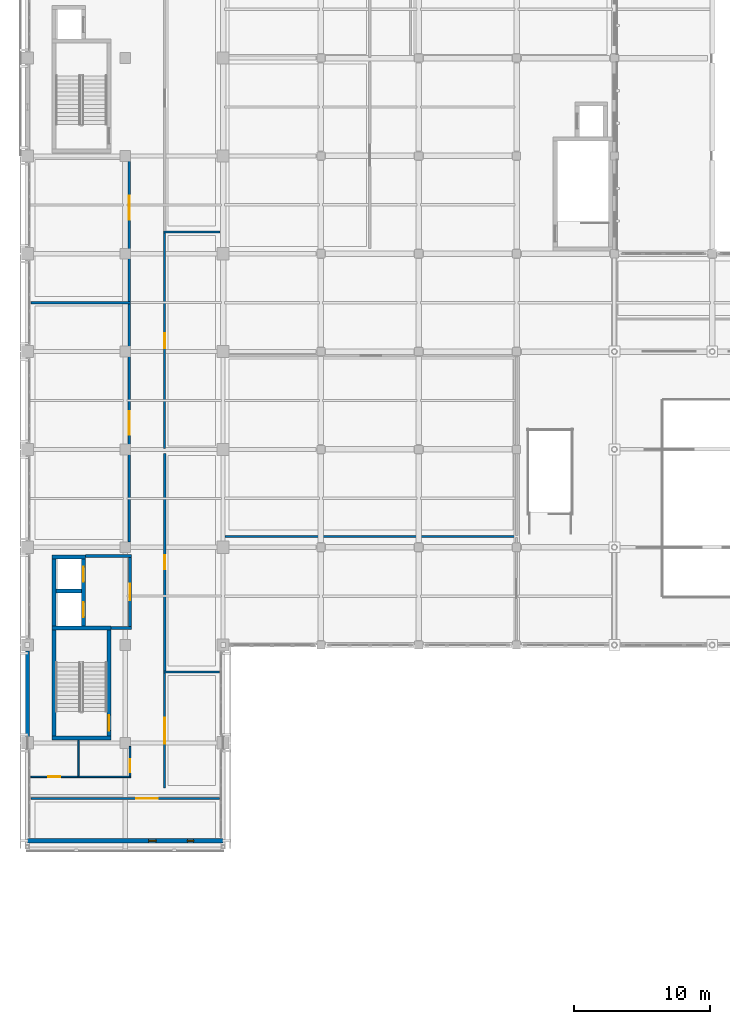
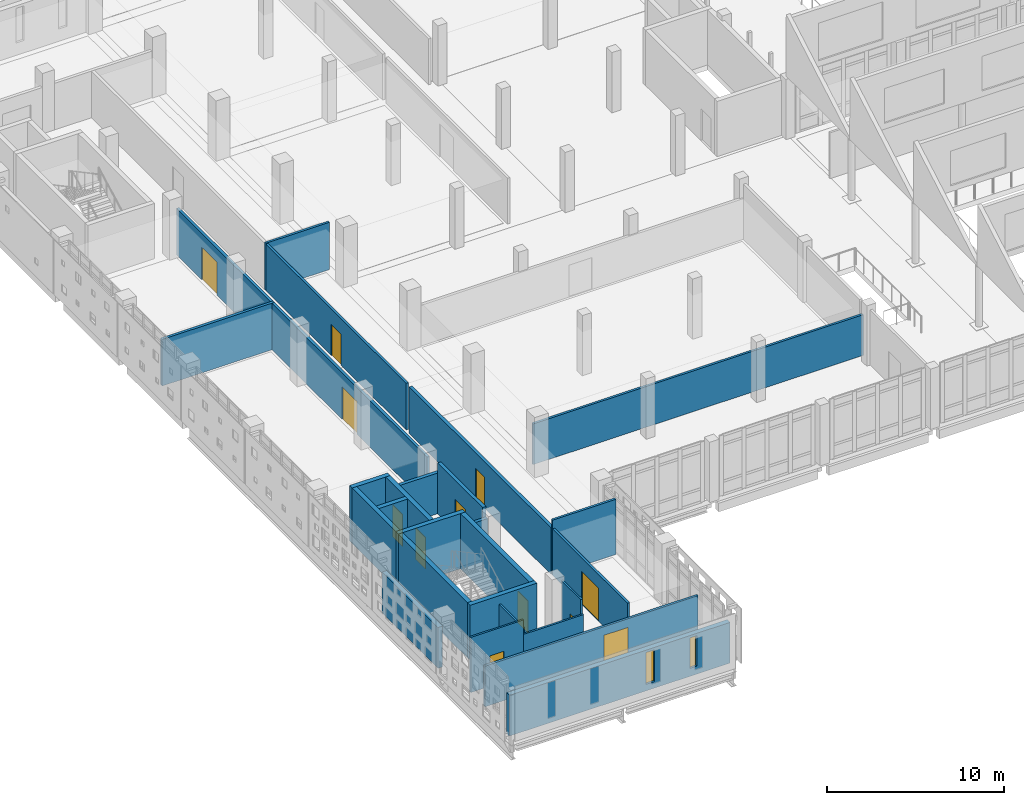
# One storey, part 40 of 62: 27 walls, 12 doors, 2 windows, 14 openings.
"""IFC4 building model written with IfcOpenShell, lengths in metres."""

from ifc_helpers import new_model, si_unit, direction, frame, frame_2d, origin, place, context, subcontext, project, spatial, rectangle, extrude, material, layer, layer_set, type_object, element, fill, save


model = new_model("IFC4")

# Units and contexts
model_context = context("Model", 3, precision=1e-05, world=origin(), true_north=direction((0.0, 1.0)))
body_context = subcontext(model_context, "Body", "Model", "MODEL_VIEW")
ifc_project = project(units=[si_unit("LENGTHUNIT", "METRE"), si_unit("AREAUNIT", "SQUARE_METRE"), si_unit("VOLUMEUNIT", "CUBIC_METRE"), si_unit("PLANEANGLEUNIT", "RADIAN"), si_unit("MASSUNIT", "GRAM", prefix="KILO")], contexts=[model_context])

# Site, building, storey
site_placement = place(None, origin())
site = spatial("IfcSite", under=ifc_project, at=site_placement, CompositionType="ELEMENT")
building_placement = place(site_placement, origin())
building = spatial("IfcBuilding", under=site, at=building_placement, Name="Valkovuoma Quantum and Materials Research Institute", CompositionType="ELEMENT")
storey_placement = place(building_placement, frame((0.0, 0.0, 13.1201171875)))
storey = spatial("IfcBuildingStorey", under=building, at=storey_placement, Name="L03", CompositionType="ELEMENT", Elevation=13.1201171875)

# Walls
ifc_material_1 = material(Name="Concrete C40/50", Category="concrete")
ifc_layer_1 = layer(ifc_material_1, 0.300048828125)
ifc_layer_set_1 = layer_set([ifc_layer_1], Name="Concrete C40/50")
wall_type_1 = type_object("IfcWallType", Name="Wall-W-COR300", PredefinedType="SHEAR", material=ifc_layer_set_1)
for number, where, z_axis, x_axis, name in (
    (1, (1.800048828125, 29.14990234375, 0.0), (0.0, 0.0, 1.0), (1.0, 0.0, 0.0), "L03 core wall 0045"),
    (2, (1.800048828125, 37.25, 0.0), (0.0, 0.0, 1.0), (1.0, 0.0, 0.0), "L03 core wall 0046"),
):
    element("IfcWall", number, at=place(storey_placement, frame(where, z_axis=z_axis, x_axis=x_axis)), inside=storey, type_object=wall_type_1, Name=name, PredefinedType="SHEAR", context=body_context, shape_type="SweptSolid", body=[
        extrude(rectangle(XDim=4.349853515625, YDim=0.300048828125, at=frame_2d((2.1748046875, 0.0))), origin(), (0.0, 0.0, 1.0), 3.809814453125),
    ])
wall_1_placement = place(storey_placement, frame((1.949951171875, 29.300048828125, 0.0), z_axis=(0.0, 0.0, 1.0), x_axis=(0.0, 1.0, 0.0)))
element("IfcWall", 3, at=wall_1_placement, inside=storey, type_object=wall_type_1, Name="L03 core wall 0047", PredefinedType="SHEAR", context=body_context, shape_type="SweptSolid", body=[
    extrude(rectangle(XDim=7.800048828125, YDim=0.300048828125, at=frame_2d((3.89990234375, 0.0))), origin(), (0.0, 0.0, 1.0), 3.809814453125),
])

# Wall, opening, door
wall_2_placement = place(storey_placement, frame((6.0, 29.300048828125, 0.0), z_axis=(0.0, 0.0, 1.0), x_axis=(0.0, 1.0, 0.0)))
wall_2 = element("IfcWall", 4, at=wall_2_placement, inside=storey, type_object=wall_type_1, Name="L03 core wall 0048", PredefinedType="SHEAR", context=body_context, shape_type="SweptSolid", body=[
    extrude(rectangle(XDim=7.800048828125, YDim=0.300048828125, at=frame_2d((3.89990234375, 0.0))), origin(), (0.0, 0.0, 1.0), 3.809814453125),
])
opening_1_placement = place(wall_2_placement, frame((0.39990234375, 0.0, 0.0)))
opening_1 = element("IfcOpeningElement", 5, at=opening_1_placement, cuts=wall_2, Name="Opening SD-009", PredefinedType="OPENING", context=body_context, shape_type="SweptSolid", body=[
    extrude(rectangle(XDim=1.14990234375, YDim=2.199951171875, at=frame_2d((0.574951171875, 1.10009765625))), frame((0.0, 0.16015625, 0.0), z_axis=(0.0, -1.0, 0.0), x_axis=(1.0, 0.0, 0.0)), (0.0, 0.0, 1.0), 0.320068359375),
])
ifc_material_2 = material(Name="Powder-coated steel and acoustic timber door assembly", Category="steel")
door_type_1 = type_object("IfcDoorType", Name="Door-DR-ST60", OperationType="NOTDEFINED", PredefinedType="DOOR", material=ifc_material_2)
door_1_placement = place(opening_1_placement, origin())
door_1 = element("IfcDoor", 6, at=door_1_placement, inside=storey, type_object=door_type_1, Name="L03 ST-1 fire door", OperationType="SINGLE_SWING_RIGHT", OverallHeight=2.199951171875, OverallWidth=1.14990234375, PredefinedType="DOOR", context=body_context, shape_type="SweptSolid", body=[
    extrude(rectangle(XDim=1.14990234375, YDim=2.199951171875, at=frame_2d((0.574951171875, 1.10009765625))), frame((0.0, 0.02490234375, 0.0), z_axis=(0.0, -1.0, 0.0), x_axis=(1.0, 0.0, 0.0)), (0.0, 0.0, 1.0), 0.050048828125),
])
fill(opening_1, door_1)

# Walls
wall_3_placement = place(storey_placement, frame((1.800048828125, 42.47998046875, 0.0), z_axis=(0.0, 0.0, 1.0), x_axis=(1.0, 0.0, 0.0)))
element("IfcWall", 7, at=wall_3_placement, inside=storey, type_object=wall_type_1, Name="L03 core wall 0049", PredefinedType="SHEAR", context=body_context, shape_type="SweptSolid", body=[
    extrude(rectangle(XDim=2.47998046875, YDim=0.300048828125, at=frame_2d((1.239990234375, 0.0))), origin(), (0.0, 0.0, 1.0), 3.809814453125),
])
wall_4_placement = place(storey_placement, frame((2.10009765625, 39.97509765625, 0.0), z_axis=(0.0, 0.0, 1.0), x_axis=(1.0, 0.0, 0.0)))
element("IfcWall", 8, at=wall_4_placement, inside=storey, type_object=wall_type_1, Name="L03 core wall 0050", PredefinedType="SHEAR", context=body_context, shape_type="SweptSolid", body=[
    extrude(rectangle(XDim=1.8798828125, YDim=0.300048828125, at=frame_2d((0.93994140625, 0.0))), origin(), (0.0, 0.0, 1.0), 3.809814453125),
])
wall_5_placement = place(storey_placement, frame((1.949951171875, 37.39990234375, 0.0), z_axis=(0.0, 0.0, 1.0), x_axis=(0.0, 1.0, 0.0)))
element("IfcWall", 9, at=wall_5_placement, inside=storey, type_object=wall_type_1, Name="L03 core wall 0051", PredefinedType="SHEAR", context=body_context, shape_type="SweptSolid", body=[
    extrude(rectangle(XDim=4.93017578125, YDim=0.300048828125, at=frame_2d((2.465087890625, 0.0))), origin(), (0.0, 0.0, 1.0), 3.809814453125),
])

# Wall, openings, doors
wall_6_placement = place(storey_placement, frame((4.1298828125, 37.39990234375, 0.0), z_axis=(0.0, 0.0, 1.0), x_axis=(0.0, 1.0, 0.0)))
wall_6 = element("IfcWall", 10, at=wall_6_placement, inside=storey, type_object=wall_type_1, Name="L03 core wall 0052", PredefinedType="SHEAR", context=body_context, shape_type="SweptSolid", body=[
    extrude(rectangle(XDim=4.93017578125, YDim=0.300048828125, at=frame_2d((2.465087890625, 0.0))), origin(), (0.0, 0.0, 1.0), 3.809814453125),
])
opening_2_placement = place(wall_6_placement, frame((0.64990234375, 0.0, 0.0)))
opening_2 = element("IfcOpeningElement", 11, at=opening_2_placement, cuts=wall_6, Name="Opening LD-009", PredefinedType="OPENING", context=body_context, shape_type="SweptSolid", body=[
    extrude(rectangle(XDim=1.10009765625, YDim=2.199951171875, at=frame_2d((0.550048828125, 1.10009765625))), frame((0.0, 0.16015625, 0.0), z_axis=(0.0, -1.0, 0.0), x_axis=(1.0, 0.0, 0.0)), (0.0, 0.0, 1.0), 0.320068359375),
])
opening_3_placement = place(wall_6_placement, frame((3.25, 0.0, 0.0)))
opening_3 = element("IfcOpeningElement", 12, at=opening_3_placement, cuts=wall_6, Name="Opening LD-010", PredefinedType="OPENING", context=body_context, shape_type="SweptSolid", body=[
    extrude(rectangle(XDim=1.10009765625, YDim=2.199951171875, at=frame_2d((0.550048828125, 1.10009765625))), frame((0.0, 0.16015625, 0.0), z_axis=(0.0, -1.0, 0.0), x_axis=(1.0, 0.0, 0.0)), (0.0, 0.0, 1.0), 0.320068359375),
])
ifc_material_3 = material(Name="Powder-coated steel and acoustic timber door assembly", Category="steel")
door_type_2 = type_object("IfcDoorType", Name="Door-DR-LD01", OperationType="NOTDEFINED", PredefinedType="DOOR", material=ifc_material_3)
door_2_placement = place(opening_2_placement, origin())
door_2 = element("IfcDoor", 13, at=door_2_placement, inside=storey, type_object=door_type_2, Name="L03 LIFT-FF1 sliding landing door", OperationType="SLIDING_TO_LEFT", OverallHeight=2.199951171875, OverallWidth=1.10009765625, PredefinedType="DOOR", context=body_context, shape_type="SweptSolid", body=[
    extrude(rectangle(XDim=1.10009765625, YDim=2.199951171875, at=frame_2d((0.550048828125, 1.10009765625))), frame((0.0, 0.02490234375, 0.0), z_axis=(0.0, -1.0, 0.0), x_axis=(1.0, 0.0, 0.0)), (0.0, 0.0, 1.0), 0.050048828125),
])
fill(opening_2, door_2)
door_3_placement = place(opening_3_placement, origin())
door_3 = element("IfcDoor", 14, at=door_3_placement, inside=storey, type_object=door_type_2, Name="L03 LIFT-P1 sliding landing door", OperationType="SLIDING_TO_LEFT", OverallHeight=2.199951171875, OverallWidth=1.10009765625, PredefinedType="DOOR", context=body_context, shape_type="SweptSolid", body=[
    extrude(rectangle(XDim=1.10009765625, YDim=2.199951171875, at=frame_2d((0.550048828125, 1.10009765625))), frame((0.0, 0.02490234375, 0.0), z_axis=(0.0, -1.0, 0.0), x_axis=(1.0, 0.0, 0.0)), (0.0, 0.0, 1.0), 0.050048828125),
])
fill(opening_3, door_3)

# Wall
ifc_material_4 = material(Name="Precast concrete C40/50", Category="concrete")
ifc_layer_2 = layer(ifc_material_4, 0.300048828125)
ifc_layer_set_2 = layer_set([ifc_layer_2], Name="Precast concrete C40/50")
wall_type_2 = type_object("IfcWallType", Name="Wall-W-EXT300", PredefinedType="SOLIDWALL", material=ifc_layer_set_2)
wall_7_placement = place(storey_placement, frame((0.0, 29.239990234375, 0.0), z_axis=(0.0, 0.0, 1.0), x_axis=(0.0, 1.0, 0.0)))
element("IfcWall", 15, at=wall_7_placement, inside=storey, type_object=wall_type_2, Name="L03 exterior wall 0042", PredefinedType="SOLIDWALL", context=body_context, shape_type="SweptSolid", body=[
    extrude(rectangle(XDim=6.320068359375, YDim=0.300048828125, at=frame_2d((3.16015625, 0.0))), origin(), (0.0, 0.0, 1.0), 2.809814453125),
])

# Wall, openings, windows
ifc_material_5 = material(Name="Precast concrete C40/50", Category="concrete")
ifc_layer_3 = layer(ifc_material_5, 0.320068359375)
ifc_layer_set_3 = layer_set([ifc_layer_3], Name="Precast concrete C40/50")
wall_type_3 = type_object("IfcWallType", Name="Wall-W-EXT320", PredefinedType="SOLIDWALL", material=ifc_layer_set_3)
wall_8_placement = place(storey_placement, frame((0.0, 21.60009765625, 0.0), z_axis=(0.0, 0.0, 1.0), x_axis=(1.0, 0.0, 0.0)))
wall_8 = element("IfcWall", 16, at=wall_8_placement, inside=storey, type_object=wall_type_3, Name="L03 exterior wall 0040", PredefinedType="SOLIDWALL", context=body_context, shape_type="SweptSolid", body=[
    extrude(rectangle(XDim=14.39990234375, YDim=0.320068359375, at=frame_2d((7.199951171875, 0.0))), origin(), (0.0, 0.0, 1.0), 2.809814453125),
])
opening_4_placement = place(wall_8_placement, frame((8.925048828125, 0.0, 0.449951171875)))
opening_4 = element("IfcOpeningElement", 17, at=opening_4_placement, cuts=wall_8, Name="Opening WN-SL03", PredefinedType="OPENING", context=body_context, shape_type="SweptSolid", body=[
    extrude(rectangle(XDim=0.550048828125, YDim=2.199951171875, at=frame_2d((0.27490234375, 1.10009765625))), frame((0.0, 0.169921875, 0.0), z_axis=(0.0, -1.0, 0.0), x_axis=(1.0, 0.0, 0.0)), (0.0, 0.0, 1.0), 0.340087890625),
])
opening_5_placement = place(wall_8_placement, frame((11.77490234375, 0.0, 0.550048828125)))
opening_5 = element("IfcOpeningElement", 18, at=opening_5_placement, cuts=wall_8, Name="Opening WN-SL04", PredefinedType="OPENING", context=body_context, shape_type="SweptSolid", body=[
    extrude(rectangle(XDim=0.449951171875, YDim=2.10009765625, at=frame_2d((0.22509765625, 1.050048828125))), frame((0.0, 0.169921875, 0.0), z_axis=(0.0, -1.0, 0.0), x_axis=(1.0, 0.0, 0.0)), (0.0, 0.0, 1.0), 0.340087890625),
])
ifc_material_6 = material(Name="Triple low-E argon glazing in thermally broken aluminium frame", Category="aluminium")
window_type_1 = type_object("IfcWindowType", Name="Win-WN-SL03", PartitioningType="SINGLE_PANEL", PredefinedType="WINDOW", material=ifc_material_6)
window_1_placement = place(opening_4_placement, origin())
window_1 = element("IfcWindow", 19, at=window_1_placement, inside=storey, type_object=window_type_1, Name="L03 window 0017", OverallHeight=2.199951171875, OverallWidth=0.550048828125, PartitioningType="SINGLE_PANEL", PredefinedType="WINDOW", context=body_context, shape_type="SweptSolid", body=[
    extrude(rectangle(XDim=0.550048828125, YDim=2.199951171875, at=frame_2d((0.27490234375, 1.10009765625))), frame((0.0, 0.030029296875, 0.0), z_axis=(0.0, -1.0, 0.0), x_axis=(1.0, 0.0, 0.0)), (0.0, 0.0, 1.0), 0.06005859375),
])
fill(opening_4, window_1)
ifc_material_7 = material(Name="Triple low-E argon glazing in thermally broken aluminium frame", Category="aluminium")
window_type_2 = type_object("IfcWindowType", Name="Win-WN-SL04", PartitioningType="SINGLE_PANEL", PredefinedType="WINDOW", material=ifc_material_7)
window_2_placement = place(opening_5_placement, origin())
window_2 = element("IfcWindow", 20, at=window_2_placement, inside=storey, type_object=window_type_2, Name="L03 window 0018", OverallHeight=2.10009765625, OverallWidth=0.449951171875, PartitioningType="SINGLE_PANEL", PredefinedType="WINDOW", context=body_context, shape_type="SweptSolid", body=[
    extrude(rectangle(XDim=0.449951171875, YDim=2.10009765625, at=frame_2d((0.22509765625, 1.050048828125))), frame((0.0, 0.030029296875, 0.0), z_axis=(0.0, -1.0, 0.0), x_axis=(1.0, 0.0, 0.0)), (0.0, 0.0, 1.0), 0.06005859375),
])
fill(opening_5, window_2)

# Walls
ifc_material_8 = material(Name="Concrete C40/50", Category="concrete")
ifc_layer_4 = layer(ifc_material_8, 0.219970703125)
ifc_layer_set_4 = layer_set([ifc_layer_4], Name="Concrete C40/50")
wall_type_4 = type_object("IfcWallType", Name="Wall-W-FFL220", PredefinedType="SOLIDWALL", material=ifc_layer_set_4)
wall_9_placement = place(storey_placement, frame((6.14990234375, 37.25, 0.0), z_axis=(0.0, 0.0, 1.0), x_axis=(1.0, 0.0, 0.0)))
element("IfcWall", 21, at=wall_9_placement, inside=storey, type_object=wall_type_4, Name="L03 core wall 0053", PredefinedType="SOLIDWALL", context=body_context, shape_type="SweptSolid", body=[
    extrude(rectangle(XDim=1.510009765625, YDim=0.219970703125, at=frame_2d((0.7548828125, 0.0))), origin(), (0.0, 0.0, 1.0), 2.809814453125),
])
wall_10_placement = place(storey_placement, frame((4.280029296875, 42.550048828125, 0.0), z_axis=(0.0, 0.0, 1.0), x_axis=(1.0, 0.0, 0.0)))
element("IfcWall", 22, at=wall_10_placement, inside=storey, type_object=wall_type_4, Name="L03 core wall 0054", PredefinedType="SOLIDWALL", context=body_context, shape_type="SweptSolid", body=[
    extrude(rectangle(XDim=3.3798828125, YDim=0.219970703125, at=frame_2d((1.68994140625, 0.0))), origin(), (0.0, 0.0, 1.0), 2.809814453125),
])

# Wall, opening, door
wall_11_placement = place(storey_placement, frame((7.550048828125, 37.360107421875, 0.0), z_axis=(0.0, 0.0, 1.0), x_axis=(0.0, 1.0, 0.0)))
wall_11 = element("IfcWall", 23, at=wall_11_placement, inside=storey, type_object=wall_type_4, Name="L03 core wall 0055", PredefinedType="SOLIDWALL", context=body_context, shape_type="SweptSolid", body=[
    extrude(rectangle(XDim=5.079833984375, YDim=0.219970703125, at=frame_2d((2.5400390625, 0.0))), origin(), (0.0, 0.0, 1.0), 3.509765625),
])
opening_6_placement = place(wall_11_placement, frame((1.93994140625, 0.0, 0.0)))
opening_6 = element("IfcOpeningElement", 24, at=opening_6_placement, cuts=wall_11, Name="Opening FD-010", PredefinedType="OPENING", context=body_context, shape_type="SweptSolid", body=[
    extrude(rectangle(XDim=1.199951171875, YDim=2.199951171875, at=frame_2d((0.60009765625, 1.10009765625))), frame((0.0, 0.1201171875, 0.0), z_axis=(0.0, -1.0, 0.0), x_axis=(1.0, 0.0, 0.0)), (0.0, 0.0, 1.0), 0.239990234375),
])
ifc_material_9 = material(Name="Powder-coated steel and acoustic timber door assembly", Category="steel")
door_type_3 = type_object("IfcDoorType", Name="Door-DR-FF60", OperationType="NOTDEFINED", PredefinedType="DOOR", material=ifc_material_9)
door_4_placement = place(opening_6_placement, origin())
door_4 = element("IfcDoor", 25, at=door_4_placement, inside=storey, type_object=door_type_3, Name="L03 firefighting lobby door", OperationType="SINGLE_SWING_RIGHT", OverallHeight=2.199951171875, OverallWidth=1.199951171875, PredefinedType="DOOR", context=body_context, shape_type="SweptSolid", body=[
    extrude(rectangle(XDim=1.199951171875, YDim=2.199951171875, at=frame_2d((0.60009765625, 1.10009765625))), frame((0.0, 0.02490234375, 0.0), z_axis=(0.0, -1.0, 0.0), x_axis=(1.0, 0.0, 0.0)), (0.0, 0.0, 1.0), 0.050048828125),
])
fill(opening_6, door_4)

# Walls
ifc_material_10 = material(Name="Service and WC partition", Category="masonry")
ifc_layer_5 = layer(ifc_material_10, 0.1201171875)
ifc_layer_set_5 = layer_set([ifc_layer_5], Name="Service and WC partition")
wall_type_5 = type_object("IfcWallType", Name="Wall-W-PRT120", PredefinedType="PARTITIONING", material=ifc_layer_set_5)
wall_12_placement = place(storey_placement, frame((3.68994140625, 26.300048828125, 0.0), z_axis=(0.0, 0.0, 1.0), x_axis=(1.0, 0.0, 0.0)))
element("IfcWall", 26, at=wall_12_placement, inside=storey, type_object=wall_type_5, Name="L03 partition 0141", PredefinedType="PARTITIONING", context=body_context, shape_type="SweptSolid", body=[
    extrude(rectangle(XDim=3.920166015625, YDim=0.1201171875, at=frame_2d((1.9599609375, 0.0))), origin(), (0.0, 0.0, 1.0), 2.809814453125),
])
wall_13_placement = place(storey_placement, frame((3.75, 26.360107421875, 0.0), z_axis=(0.0, 0.0, 1.0), x_axis=(0.0, 1.0, 0.0)))
element("IfcWall", 27, at=wall_13_placement, inside=storey, type_object=wall_type_5, Name="L03 partition 0142", PredefinedType="PARTITIONING", context=body_context, shape_type="SweptSolid", body=[
    extrude(rectangle(XDim=2.639892578125, YDim=0.1201171875, at=frame_2d((1.31982421875, 0.0))), origin(), (0.0, 0.0, 1.0), 3.2099609375),
])

# Wall, opening, door
wall_14_placement = place(storey_placement, frame((7.550048828125, 26.360107421875, 0.0), z_axis=(0.0, 0.0, 1.0), x_axis=(0.0, 1.0, 0.0)))
wall_14 = element("IfcWall", 28, at=wall_14_placement, inside=storey, type_object=wall_type_5, Name="L03 partition 0143", PredefinedType="PARTITIONING", context=body_context, shape_type="SweptSolid", body=[
    extrude(rectangle(XDim=2.179931640625, YDim=0.1201171875, at=frame_2d((1.08984375, 0.0))), origin(), (0.0, 0.0, 1.0), 3.809814453125),
])
opening_7_placement = place(wall_14_placement, frame((0.29296875, 0.0, 0.0)))
opening_7 = element("IfcOpeningElement", 29, at=opening_7_placement, cuts=wall_14, Name="Opening ID-0103", PredefinedType="OPENING", context=body_context, shape_type="SweptSolid", body=[
    extrude(rectangle(XDim=0.93994140625, YDim=2.10009765625, at=frame_2d((0.469970703125, 1.050048828125))), frame((0.0, 0.070068359375, 0.0), z_axis=(0.0, -1.0, 0.0), x_axis=(1.0, 0.0, 0.0)), (0.0, 0.0, 1.0), 0.14013671875),
])
ifc_material_11 = material(Name="Powder-coated steel and acoustic timber door assembly", Category="steel")
door_type_4 = type_object("IfcDoorType", Name="Door-DR-WC01", OperationType="NOTDEFINED", PredefinedType="DOOR", material=ifc_material_11)
door_5_placement = place(opening_7_placement, frame((0.93994140625, 0.0, 0.0), z_axis=(0.0, 0.0, 1.0), x_axis=(-1.0, 0.0, 0.0)))
door_5 = element("IfcDoor", 30, at=door_5_placement, inside=storey, type_object=door_type_4, Name="L03 room door 0103", OperationType="SINGLE_SWING_RIGHT", OverallHeight=2.10009765625, OverallWidth=0.93994140625, PredefinedType="DOOR", context=body_context, shape_type="SweptSolid", body=[
    extrude(rectangle(XDim=0.93994140625, YDim=2.10009765625, at=frame_2d((0.469970703125, 1.050048828125))), frame((0.0, 0.02490234375, 0.0), z_axis=(0.0, -1.0, 0.0), x_axis=(1.0, 0.0, 0.0)), (0.0, 0.0, 1.0), 0.050048828125),
])
fill(opening_7, door_5)

wall_15_placement = place(storey_placement, frame((0.25, 26.300048828125, 0.0), z_axis=(0.0, 0.0, 1.0), x_axis=(1.0, 0.0, 0.0)))
wall_15 = element("IfcWall", 31, at=wall_15_placement, inside=storey, type_object=wall_type_5, Name="L03 partition 0144", PredefinedType="PARTITIONING", context=body_context, shape_type="SweptSolid", body=[
    extrude(rectangle(XDim=3.43994140625, YDim=0.1201171875, at=frame_2d((1.719970703125, 0.0))), origin(), (0.0, 0.0, 1.0), 3.809814453125),
])
opening_8_placement = place(wall_15_placement, frame((1.27001953125, 0.0, 0.0)))
opening_8 = element("IfcOpeningElement", 32, at=opening_8_placement, cuts=wall_15, Name="Opening ID-0104", PredefinedType="OPENING", context=body_context, shape_type="SweptSolid", body=[
    extrude(rectangle(XDim=0.89990234375, YDim=2.10009765625, at=frame_2d((0.449951171875, 1.050048828125))), frame((0.0, 0.070068359375, 0.0), z_axis=(0.0, -1.0, 0.0), x_axis=(1.0, 0.0, 0.0)), (0.0, 0.0, 1.0), 0.14013671875),
])
ifc_material_12 = material(Name="Powder-coated steel and acoustic timber door assembly", Category="steel")
door_type_5 = type_object("IfcDoorType", Name="Door-DR-WC02", OperationType="NOTDEFINED", PredefinedType="DOOR", material=ifc_material_12)
door_6_placement = place(opening_8_placement, origin())
door_6 = element("IfcDoor", 33, at=door_6_placement, inside=storey, type_object=door_type_5, Name="L03 room door 0104", OperationType="SINGLE_SWING_LEFT", OverallHeight=2.10009765625, OverallWidth=0.89990234375, PredefinedType="DOOR", context=body_context, shape_type="SweptSolid", body=[
    extrude(rectangle(XDim=0.89990234375, YDim=2.10009765625, at=frame_2d((0.449951171875, 1.050048828125))), frame((0.0, 0.02490234375, 0.0), z_axis=(0.0, -1.0, 0.0), x_axis=(1.0, 0.0, 0.0)), (0.0, 0.0, 1.0), 0.050048828125),
])
fill(opening_8, door_6)

ifc_material_13 = material(Name="Acoustic write-up studio partition", Category="masonry")
ifc_layer_6 = layer(ifc_material_13, 0.14990234375)
ifc_layer_set_6 = layer_set([ifc_layer_6], Name="Acoustic write-up studio partition")
wall_type_6 = type_object("IfcWallType", Name="Wall-W-PRT150", PredefinedType="PARTITIONING", material=ifc_layer_set_6)
wall_16_placement = place(storey_placement, frame((0.25, 24.699951171875, 0.0), z_axis=(0.0, 0.0, 1.0), x_axis=(1.0, 0.0, 0.0)))
wall_16 = element("IfcWall", 34, at=wall_16_placement, inside=storey, type_object=wall_type_6, Name="L03 partition 0140", PredefinedType="PARTITIONING", context=body_context, shape_type="SweptSolid", body=[
    extrude(rectangle(XDim=13.89990234375, YDim=0.14990234375, at=frame_2d((6.949951171875, 0.0))), origin(), (0.0, 0.0, 1.0), 2.809814453125),
])
opening_9_placement = place(wall_16_placement, frame((7.760009765625, 0.0, 0.0)))
opening_9 = element("IfcOpeningElement", 35, at=opening_9_placement, cuts=wall_16, Name="Opening ID-0102", PredefinedType="OPENING", context=body_context, shape_type="SweptSolid", body=[
    extrude(rectangle(XDim=1.580078125, YDim=2.219970703125, at=frame_2d((0.7900390625, 1.10986328125))), frame((0.0, 0.0849609375, 0.0), z_axis=(0.0, -1.0, 0.0), x_axis=(1.0, 0.0, 0.0)), (0.0, 0.0, 1.0), 0.169921875),
])
ifc_material_14 = material(Name="Powder-coated steel and acoustic timber door assembly", Category="steel")
door_type_6 = type_object("IfcDoorType", Name="Door-DR-RM14", OperationType="NOTDEFINED", PredefinedType="DOOR", material=ifc_material_14)
door_7_placement = place(opening_9_placement, origin())
door_7 = element("IfcDoor", 36, at=door_7_placement, inside=storey, type_object=door_type_6, Name="L03 room door 0102", OperationType="DOUBLE_DOOR_SINGLE_SWING", OverallHeight=2.219970703125, OverallWidth=1.580078125, PredefinedType="DOOR", context=body_context, shape_type="SweptSolid", body=[
    extrude(rectangle(XDim=1.580078125, YDim=2.219970703125, at=frame_2d((0.7900390625, 1.10986328125))), frame((0.0, 0.02490234375, 0.0), z_axis=(0.0, -1.0, 0.0), x_axis=(1.0, 0.0, 0.0)), (0.0, 0.0, 1.0), 0.050048828125),
])
fill(opening_9, door_7)

# Wall
wall_17_placement = place(storey_placement, frame((10.02490234375, 34.0, 0.0), z_axis=(0.0, 0.0, 1.0), x_axis=(1.0, 0.0, 0.0)))
element("IfcWall", 37, at=wall_17_placement, inside=storey, type_object=wall_type_6, Name="L03 partition 0149", PredefinedType="PARTITIONING", context=body_context, shape_type="SweptSolid", body=[
    extrude(rectangle(XDim=4.125, YDim=0.14990234375, at=frame_2d((2.0625, 0.0))), origin(), (0.0, 0.0, 1.0), 3.809814453125),
])

# Wall, opening, door
wall_18_placement = place(storey_placement, frame((10.10009765625, 25.47509765625, 0.0), z_axis=(0.0, 0.0, 1.0), x_axis=(0.0, 1.0, 0.0)))
wall_18 = element("IfcWall", 38, at=wall_18_placement, inside=storey, type_object=wall_type_6, Name="L03 partition 0150", PredefinedType="PARTITIONING", context=body_context, shape_type="SweptSolid", body=[
    extrude(rectangle(XDim=8.449951171875, YDim=0.14990234375, at=frame_2d((4.22509765625, 0.0))), origin(), (0.0, 0.0, 1.0), 3.2099609375),
])
opening_10_placement = place(wall_18_placement, frame((3.264892578125, 0.0, 0.0)))
opening_10 = element("IfcOpeningElement", 39, at=opening_10_placement, cuts=wall_18, Name="Opening ID-0108", PredefinedType="OPENING", context=body_context, shape_type="SweptSolid", body=[
    extrude(rectangle(XDim=1.919921875, YDim=2.280029296875, at=frame_2d((0.9599609375, 1.14013671875))), frame((0.0, 0.0849609375, 0.0), z_axis=(0.0, -1.0, 0.0), x_axis=(1.0, 0.0, 0.0)), (0.0, 0.0, 1.0), 0.169921875),
])
ifc_material_15 = material(Name="Powder-coated steel and acoustic timber door assembly", Category="steel")
door_type_7 = type_object("IfcDoorType", Name="Door-DR-RM20", OperationType="NOTDEFINED", PredefinedType="DOOR", material=ifc_material_15)
door_8_placement = place(opening_10_placement, origin())
door_8 = element("IfcDoor", 40, at=door_8_placement, inside=storey, type_object=door_type_7, Name="L03 room door 0108", OperationType="DOUBLE_DOOR_SINGLE_SWING", OverallHeight=2.280029296875, OverallWidth=1.919921875, PredefinedType="DOOR", context=body_context, shape_type="SweptSolid", body=[
    extrude(rectangle(XDim=1.919921875, YDim=2.280029296875, at=frame_2d((0.9599609375, 1.14013671875))), frame((0.0, 0.02490234375, 0.0), z_axis=(0.0, -1.0, 0.0), x_axis=(1.0, 0.0, 0.0)), (0.0, 0.0, 1.0), 0.050048828125),
])
fill(opening_10, door_8)

# Wall
wall_19_placement = place(storey_placement, frame((10.02490234375, 66.39990234375, 0.0), z_axis=(0.0, 0.0, 1.0), x_axis=(1.0, 0.0, 0.0)))
element("IfcWall", 41, at=wall_19_placement, inside=storey, type_object=wall_type_6, Name="L03 partition 0152", PredefinedType="PARTITIONING", context=body_context, shape_type="SweptSolid", body=[
    extrude(rectangle(XDim=4.150146484375, YDim=0.14990234375, at=frame_2d((2.0751953125, 0.0))), origin(), (0.0, 0.0, 1.0), 3.259765625),
])

# Wall, opening, door
wall_20_placement = place(storey_placement, frame((10.10009765625, 50.47509765625, 0.0), z_axis=(0.0, 0.0, 1.0), x_axis=(0.0, 1.0, 0.0)))
wall_20 = element("IfcWall", 42, at=wall_20_placement, inside=storey, type_object=wall_type_6, Name="L03 partition 0153", PredefinedType="PARTITIONING", context=body_context, shape_type="SweptSolid", body=[
    extrude(rectangle(XDim=15.849853515625, YDim=0.14990234375, at=frame_2d((7.9248046875, 0.0))), origin(), (0.0, 0.0, 1.0), 3.2099609375),
])
opening_11_placement = place(wall_20_placement, frame((7.375, 0.0, 0.0)))
opening_11 = element("IfcOpeningElement", 43, at=opening_11_placement, cuts=wall_20, Name="Opening ID-0110", PredefinedType="OPENING", context=body_context, shape_type="SweptSolid", body=[
    extrude(rectangle(XDim=1.10009765625, YDim=2.14990234375, at=frame_2d((0.550048828125, 1.074951171875))), frame((0.0, 0.0849609375, 0.0), z_axis=(0.0, -1.0, 0.0), x_axis=(1.0, 0.0, 0.0)), (0.0, 0.0, 1.0), 0.169921875),
])
ifc_material_16 = material(Name="Powder-coated steel and acoustic timber door assembly", Category="steel")
door_type_8 = type_object("IfcDoorType", Name="Door-DR-LB02", OperationType="NOTDEFINED", PredefinedType="DOOR", material=ifc_material_16)
door_9_placement = place(opening_11_placement, origin())
door_9 = element("IfcDoor", 44, at=door_9_placement, inside=storey, type_object=door_type_8, Name="L03 room door 0110", OperationType="SINGLE_SWING_LEFT", OverallHeight=2.14990234375, OverallWidth=1.10009765625, PredefinedType="DOOR", context=body_context, shape_type="SweptSolid", body=[
    extrude(rectangle(XDim=1.10009765625, YDim=2.14990234375, at=frame_2d((0.550048828125, 1.074951171875))), frame((0.0, 0.02490234375, 0.0), z_axis=(0.0, -1.0, 0.0), x_axis=(1.0, 0.0, 0.0)), (0.0, 0.0, 1.0), 0.050048828125),
])
fill(opening_11, door_9)

# Walls
wall_21_placement = place(storey_placement, frame((14.52490234375, 44.0, 0.0), z_axis=(0.0, 0.0, 1.0), x_axis=(1.0, 0.0, 0.0)))
element("IfcWall", 45, at=wall_21_placement, inside=storey, type_object=wall_type_6, Name="L03 partition 0155", PredefinedType="PARTITIONING", context=body_context, shape_type="SweptSolid", body=[
    extrude(rectangle(XDim=21.550048828125, YDim=0.14990234375, at=frame_2d((10.77490234375, 0.0))), origin(), (0.0, 0.0, 1.0), 2.809814453125),
])
ifc_material_17 = material(Name="Laboratory fire-rated gypsum partition", Category="masonry")
ifc_layer_7 = layer(ifc_material_17, 0.179931640625)
ifc_layer_set_7 = layer_set([ifc_layer_7], Name="Laboratory fire-rated gypsum partition")
wall_type_7 = type_object("IfcWallType", Name="Wall-W-PRT180", PredefinedType="PARTITIONING", material=ifc_layer_set_7)
wall_22_placement = place(storey_placement, frame((0.25, 61.199951171875, 0.0), z_axis=(0.0, 0.0, 1.0), x_axis=(1.0, 0.0, 0.0)))
element("IfcWall", 46, at=wall_22_placement, inside=storey, type_object=wall_type_7, Name="L03 partition 0145", PredefinedType="PARTITIONING", context=body_context, shape_type="SweptSolid", body=[
    extrude(rectangle(XDim=7.340087890625, YDim=0.179931640625, at=frame_2d((3.669921875, 0.0))), origin(), (0.0, 0.0, 1.0), 3.2099609375),
])

# Wall, opening, door
wall_23_placement = place(storey_placement, frame((7.5, 43.590087890625, 0.0), z_axis=(0.0, 0.0, 1.0), x_axis=(0.0, 1.0, 0.0)))
wall_23 = element("IfcWall", 47, at=wall_23_placement, inside=storey, type_object=wall_type_7, Name="L03 partition 0146", PredefinedType="PARTITIONING", context=body_context, shape_type="SweptSolid", body=[
    extrude(rectangle(XDim=17.52001953125, YDim=0.179931640625, at=frame_2d((8.760009765625, 0.0))), origin(), (0.0, 0.0, 1.0), 3.2099609375),
])
opening_12_placement = place(wall_23_placement, frame((7.89990234375, 0.0, 0.0)))
opening_12 = element("IfcOpeningElement", 48, at=opening_12_placement, cuts=wall_23, Name="Opening ID-0105", PredefinedType="OPENING", context=body_context, shape_type="SweptSolid", body=[
    extrude(rectangle(XDim=1.719970703125, YDim=2.260009765625, at=frame_2d((0.85986328125, 1.1298828125))), frame((0.0, 0.10009765625, 0.0), z_axis=(0.0, -1.0, 0.0), x_axis=(1.0, 0.0, 0.0)), (0.0, 0.0, 1.0), 0.199951171875),
])
ifc_material_18 = material(Name="Powder-coated steel and acoustic timber door assembly", Category="steel")
door_type_9 = type_object("IfcDoorType", Name="Door-DR-RM17", OperationType="NOTDEFINED", PredefinedType="DOOR", material=ifc_material_18)
door_10_placement = place(opening_12_placement, origin())
door_10 = element("IfcDoor", 49, at=door_10_placement, inside=storey, type_object=door_type_9, Name="L03 room door 0105", OperationType="DOUBLE_DOOR_SINGLE_SWING", OverallHeight=2.260009765625, OverallWidth=1.719970703125, PredefinedType="DOOR", context=body_context, shape_type="SweptSolid", body=[
    extrude(rectangle(XDim=1.719970703125, YDim=2.260009765625, at=frame_2d((0.85986328125, 1.1298828125))), frame((0.0, 0.02490234375, 0.0), z_axis=(0.0, -1.0, 0.0), x_axis=(1.0, 0.0, 0.0)), (0.0, 0.0, 1.0), 0.050048828125),
])
fill(opening_12, door_10)

wall_24_placement = place(storey_placement, frame((7.5, 61.2900390625, 0.0), z_axis=(0.0, 0.0, 1.0), x_axis=(0.0, 1.0, 0.0)))
wall_24 = element("IfcWall", 50, at=wall_24_placement, inside=storey, type_object=wall_type_7, Name="L03 partition 0147", PredefinedType="PARTITIONING", context=body_context, shape_type="SweptSolid", body=[
    extrude(rectangle(XDim=10.619873046875, YDim=0.179931640625, at=frame_2d((5.31005859375, 0.0))), origin(), (0.0, 0.0, 1.0), 3.2099609375),
])
opening_13_placement = place(wall_24_placement, frame((6.012939453125, 0.0, 0.0)))
opening_13 = element("IfcOpeningElement", 51, at=opening_13_placement, cuts=wall_24, Name="Opening ID-0106", PredefinedType="OPENING", context=body_context, shape_type="SweptSolid", body=[
    extrude(rectangle(XDim=1.780029296875, YDim=2.260009765625, at=frame_2d((0.89013671875, 1.1298828125))), frame((0.0, 0.10009765625, 0.0), z_axis=(0.0, -1.0, 0.0), x_axis=(1.0, 0.0, 0.0)), (0.0, 0.0, 1.0), 0.199951171875),
])
ifc_material_19 = material(Name="Powder-coated steel and acoustic timber door assembly", Category="steel")
door_type_10 = type_object("IfcDoorType", Name="Door-DR-RM18", OperationType="NOTDEFINED", PredefinedType="DOOR", material=ifc_material_19)
door_11_placement = place(opening_13_placement, origin())
door_11 = element("IfcDoor", 52, at=door_11_placement, inside=storey, type_object=door_type_10, Name="L03 room door 0106", OperationType="DOUBLE_DOOR_SINGLE_SWING", OverallHeight=2.260009765625, OverallWidth=1.780029296875, PredefinedType="DOOR", context=body_context, shape_type="SweptSolid", body=[
    extrude(rectangle(XDim=1.780029296875, YDim=2.260009765625, at=frame_2d((0.89013671875, 1.1298828125))), frame((0.0, 0.02490234375, 0.0), z_axis=(0.0, -1.0, 0.0), x_axis=(1.0, 0.0, 0.0)), (0.0, 0.0, 1.0), 0.050048828125),
])
fill(opening_13, door_11)

ifc_material_20 = material(Name="Acoustic double-stud gypsum and mineral wool partition", Category="masonry")
ifc_layer_8 = layer(ifc_material_20, 0.199951171875)
ifc_layer_set_8 = layer_set([ifc_layer_8], Name="Acoustic double-stud gypsum and mineral wool partition")
wall_type_8 = type_object("IfcWallType", Name="Wall-W-PRT200", PredefinedType="PARTITIONING", material=ifc_layer_set_8)
wall_25_placement = place(storey_placement, frame((10.10009765625, 34.074951171875, 0.0), z_axis=(0.0, 0.0, 1.0), x_axis=(0.0, 1.0, 0.0)))
wall_25 = element("IfcWall", 53, at=wall_25_placement, inside=storey, type_object=wall_type_8, Name="L03 partition 0151", PredefinedType="PARTITIONING", context=body_context, shape_type="SweptSolid", body=[
    extrude(rectangle(XDim=16.025146484375, YDim=0.199951171875, at=frame_2d((8.0126953125, 0.0))), origin(), (0.0, 0.0, 1.0), 3.2099609375),
])
opening_14_placement = place(wall_25_placement, frame((7.487548828125, 0.0, 0.0)))
opening_14 = element("IfcOpeningElement", 54, at=opening_14_placement, cuts=wall_25, Name="Opening ID-0109", PredefinedType="OPENING", context=body_context, shape_type="SweptSolid", body=[
    extrude(rectangle(XDim=1.050048828125, YDim=2.14990234375, at=frame_2d((0.52490234375, 1.074951171875))), frame((0.0, 0.10986328125, 0.0), z_axis=(0.0, -1.0, 0.0), x_axis=(1.0, 0.0, 0.0)), (0.0, 0.0, 1.0), 0.219970703125),
])
ifc_material_21 = material(Name="Powder-coated steel and acoustic timber door assembly", Category="steel")
door_type_11 = type_object("IfcDoorType", Name="Door-DR-LB01", OperationType="NOTDEFINED", PredefinedType="DOOR", material=ifc_material_21)
door_12_placement = place(opening_14_placement, origin())
door_12 = element("IfcDoor", 55, at=door_12_placement, inside=storey, type_object=door_type_11, Name="L03 room door 0109", OperationType="SINGLE_SWING_RIGHT", OverallHeight=2.14990234375, OverallWidth=1.050048828125, PredefinedType="DOOR", context=body_context, shape_type="SweptSolid", body=[
    extrude(rectangle(XDim=1.050048828125, YDim=2.14990234375, at=frame_2d((0.52490234375, 1.074951171875))), frame((0.0, 0.02490234375, 0.0), z_axis=(0.0, -1.0, 0.0), x_axis=(1.0, 0.0, 0.0)), (0.0, 0.0, 1.0), 0.050048828125),
])
fill(opening_14, door_12)

save(model, "model.ifc")
